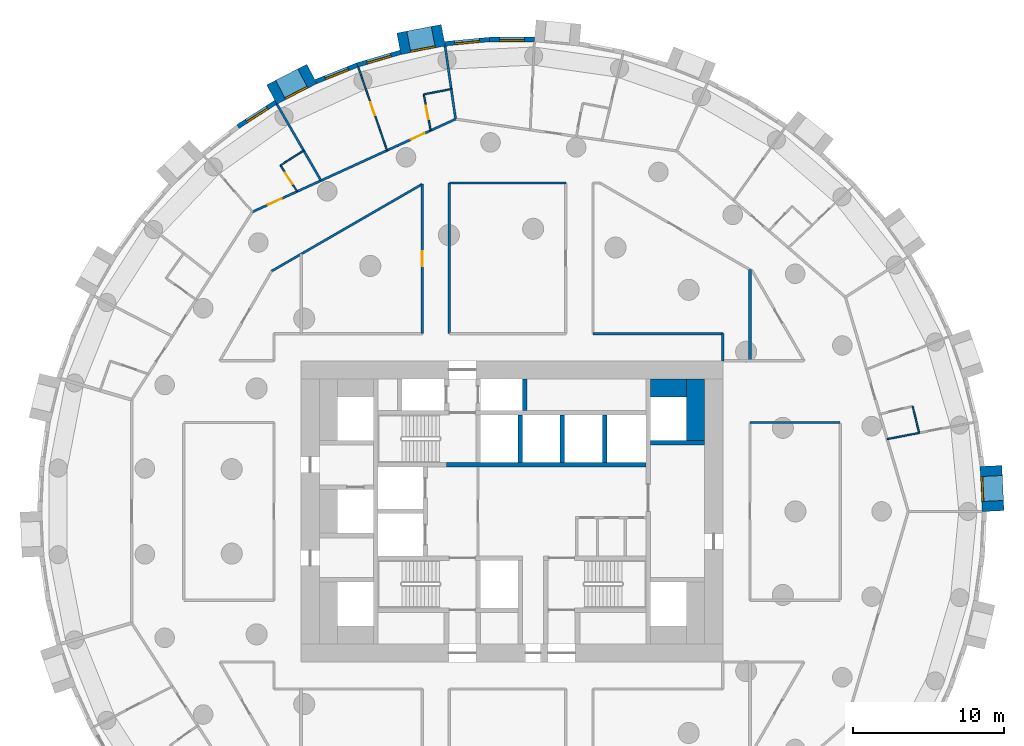
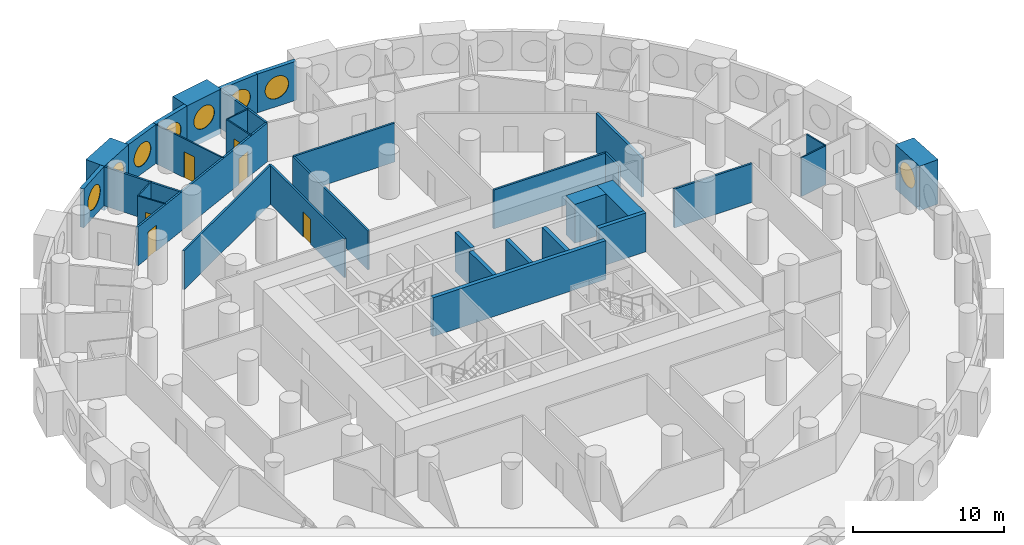
# One storey, part 8 of 12: 34 walls, 8 windows, 6 doors, 14 openings.
"""IFC4 building model written with IfcOpenShell, lengths in metres."""

from ifc_helpers import new_model, si_unit, direction, frame, frame_2d, origin, origin_2d, place, context, subcontext, project, spatial, rectangle, circle, extrude, material, layer, layer_set, type_object, element, fill, save


model = new_model("IFC4")

# Units and contexts
model_context = context("Model", 3, precision=1e-05, world=origin(), true_north=direction((0.0, 1.0)))
body_context = subcontext(model_context, "Body", "Model", "MODEL_VIEW")
ifc_project = project(units=[si_unit("LENGTHUNIT", "METRE"), si_unit("AREAUNIT", "SQUARE_METRE"), si_unit("VOLUMEUNIT", "CUBIC_METRE"), si_unit("PLANEANGLEUNIT", "RADIAN"), si_unit("MASSUNIT", "GRAM", prefix="KILO")], contexts=[model_context])

# Site, building, storey
site_placement = place(None, origin())
site = spatial("IfcSite", under=ifc_project, at=site_placement, CompositionType="ELEMENT")
building_placement = place(site_placement, origin())
building = spatial("IfcBuilding", under=site, at=building_placement, Name="Tracery Tower", CompositionType="ELEMENT")
storey_placement = place(building_placement, frame((0.0, 0.0, 85.800048828125)))
storey = spatial("IfcBuildingStorey", under=building, at=storey_placement, Name="L21", CompositionType="ELEMENT", Elevation=85.800048828125)

# Walls
ifc_material_1 = material(Name="Concrete C60/75", Category="concrete")
ifc_layer_1 = layer(ifc_material_1, 1.199951171875)
ifc_layer_set_1 = layer_set([ifc_layer_1], Name="Core strip wall 1200 C60")
wall_type_1 = type_object("IfcWallType", Name="Core strip wall 1200 C60", PredefinedType="SOLIDWALL", material=ifc_layer_set_1)
wall_1_placement = place(storey_placement, frame((12.199951171875, 4.699951171875, 0.0), z_axis=(0.0, 0.0, 1.0), x_axis=(0.0, 1.0, 0.0)))
element("IfcWall", 1, at=wall_1_placement, inside=storey, type_object=wall_type_1, Name="L21 wing strip +1 4.55", PredefinedType="SOLIDWALL", context=body_context, shape_type="SweptSolid", body=[
    extrude(rectangle(XDim=4.10009765625, YDim=1.199951171875, at=frame_2d((2.050048828125, 0.0))), origin(), (0.0, 0.0, 1.0), 3.14990234375),
])
wall_2_placement = place(storey_placement, frame((9.199951171875, 8.199951171875, 0.0), z_axis=(0.0, 0.0, 1.0), x_axis=(1.0, 0.0, 0.0)))
element("IfcWall", 2, at=wall_2_placement, inside=storey, type_object=wall_type_1, Name="L21 wing corner +1 +8.2", PredefinedType="SOLIDWALL", context=body_context, shape_type="SweptSolid", body=[
    extrude(rectangle(XDim=2.400146484375, YDim=1.199951171875, at=frame_2d((1.2001953125, 0.0))), origin(), (0.0, 0.0, 1.0), 3.14990234375),
])

# Wall, opening, window
ifc_material_2 = material(Name="Precast concrete C50/60", Category="concrete")
ifc_layer_2 = layer(ifc_material_2, 1.449951171875)
ifc_layer_set_2 = layer_set([ifc_layer_2], Name="Deep-set bay unit 3000 x 3600, slab edge 450")
wall_type_2 = type_object("IfcWallType", Name="Deep-set bay unit 3000 x 3600, slab edge 450", PredefinedType="ELEMENTEDWALL", material=ifc_layer_set_2)
wall_3_placement = place(storey_placement, frame((31.94921875, 0.020263671875, -0.449951171875), z_axis=(0.0, 0.0, 1.0), x_axis=(-0.047607680889, 0.998866111509, 0.0)))
wall_3 = element("IfcWall", 3, at=wall_3_placement, inside=storey, type_object=wall_type_2, Name="Deep-set bay unit 1 at L21", PredefinedType="ELEMENTEDWALL", context=body_context, shape_type="SweptSolid", body=[
    extrude(rectangle(XDim=3.0, YDim=1.449951171875, at=frame_2d((1.5, 0.0))), origin(), (0.0, 0.0, 1.0), 3.599853515625),
])
opening_1_placement = place(wall_3_placement, frame((1.5, 0.0, 2.0)))
opening_1 = element("IfcOpeningElement", 4, at=opening_1_placement, cuts=wall_3, Name="Opening WN1", PredefinedType="OPENING", context=body_context, shape_type="SweptSolid", body=[
    extrude(circle(Radius=0.9000244140625, at=origin_2d()), frame((0.0, 0.73486328125, 0.0), z_axis=(0.0, -1.0, 0.0), x_axis=(1.0, 0.0, 0.0)), (0.0, 0.0, 1.0), 1.469970703125),
])
ifc_material_3 = material(Name="Aluminium frame with tinted double glazing", Category="aluminium")
window_type = type_object("IfcWindowType", Name="Round window 1800", PartitioningType="SINGLE_PANEL", PredefinedType="WINDOW", material=ifc_material_3)
window_1_placement = place(opening_1_placement, origin())
window_1 = element("IfcWindow", 5, at=window_1_placement, inside=storey, type_object=window_type, Name="Round window 1 at L21", OverallHeight=1.800048828125, OverallWidth=1.800048828125, PartitioningType="SINGLE_PANEL", PredefinedType="WINDOW", context=body_context, shape_type="SweptSolid", body=[
    extrude(circle(Radius=0.9000244140625, at=origin_2d()), frame((0.0, 0.69482421875, 0.0), z_axis=(0.0, -1.0, 0.0), x_axis=(1.0, 0.0, 0.0)), (0.0, 0.0, 1.0), 0.10009765625),
])
fill(opening_1, window_1)

wall_4_placement = place(storey_placement, frame((-4.56689453125, 31.62109375, -0.449951171875), z_axis=(0.0, 0.0, 1.0), x_axis=(-0.981921602273, -0.189288052949, 0.0)))
wall_4 = element("IfcWall", 6, at=wall_4_placement, inside=storey, type_object=wall_type_2, Name="Deep-set bay unit 19 at L21", PredefinedType="ELEMENTEDWALL", context=body_context, shape_type="SweptSolid", body=[
    extrude(rectangle(XDim=3.0, YDim=1.449951171875, at=frame_2d((1.5, 0.0))), origin(), (0.0, 0.0, 1.0), 3.599853515625),
])
opening_2_placement = place(wall_4_placement, frame((1.5, 0.0, 2.0)))
opening_2 = element("IfcOpeningElement", 7, at=opening_2_placement, cuts=wall_4, Name="Opening WN1", PredefinedType="OPENING", context=body_context, shape_type="SweptSolid", body=[
    extrude(circle(Radius=0.9000244140625, at=origin_2d()), frame((0.0, 0.73486328125, 0.0), z_axis=(0.0, -1.0, 0.0), x_axis=(1.0, 0.0, 0.0)), (0.0, 0.0, 1.0), 1.469970703125),
])
window_2_placement = place(opening_2_placement, origin())
window_2 = element("IfcWindow", 8, at=window_2_placement, inside=storey, type_object=window_type, Name="Round window 19 at L21", OverallHeight=1.800048828125, OverallWidth=1.800048828125, PartitioningType="SINGLE_PANEL", PredefinedType="WINDOW", context=body_context, shape_type="SweptSolid", body=[
    extrude(circle(Radius=0.9000244140625, at=origin_2d()), frame((0.0, 0.69482421875, 0.0), z_axis=(0.0, -1.0, 0.0), x_axis=(1.0, 0.0, 0.0)), (0.0, 0.0, 1.0), 0.10009765625),
])
fill(opening_2, window_2)

wall_5_placement = place(storey_placement, frame((-13.29052734375, 29.053466796875, -0.449951171875), z_axis=(0.0, 0.0, 1.0), x_axis=(-0.888858064689, -0.458182650083, 0.0)))
wall_5 = element("IfcWall", 9, at=wall_5_placement, inside=storey, type_object=wall_type_2, Name="Deep-set bay unit 22 at L21", PredefinedType="ELEMENTEDWALL", context=body_context, shape_type="SweptSolid", body=[
    extrude(rectangle(XDim=3.0, YDim=1.449951171875, at=frame_2d((1.5, 0.0))), origin(), (0.0, 0.0, 1.0), 3.599853515625),
])
opening_3_placement = place(wall_5_placement, frame((1.5, 0.0, 2.0)))
opening_3 = element("IfcOpeningElement", 10, at=opening_3_placement, cuts=wall_5, Name="Opening WN1", PredefinedType="OPENING", context=body_context, shape_type="SweptSolid", body=[
    extrude(circle(Radius=0.9000244140625, at=origin_2d()), frame((0.0, 0.73486328125, 0.0), z_axis=(0.0, -1.0, 0.0), x_axis=(1.0, 0.0, 0.0)), (0.0, 0.0, 1.0), 1.469970703125),
])
window_3_placement = place(opening_3_placement, origin())
window_3 = element("IfcWindow", 11, at=window_3_placement, inside=storey, type_object=window_type, Name="Round window 22 at L21", OverallHeight=1.800048828125, OverallWidth=1.800048828125, PartitioningType="SINGLE_PANEL", PredefinedType="WINDOW", context=body_context, shape_type="SweptSolid", body=[
    extrude(circle(Radius=0.9000244140625, at=origin_2d()), frame((0.0, 0.69482421875, 0.0), z_axis=(0.0, -1.0, 0.0), x_axis=(1.0, 0.0, 0.0)), (0.0, 0.0, 1.0), 0.10009765625),
])
fill(opening_3, window_3)

ifc_material_4 = material(Name="Precast concrete C50/60", Category="concrete")
ifc_layer_3 = layer(ifc_material_4, 0.300048828125)
ifc_layer_set_3 = layer_set([ifc_layer_3], Name="Facade panel 3000 x 3150")
wall_type_3 = type_object("IfcWallType", Name="Facade panel 3000 x 3150", PredefinedType="SOLIDWALL", material=ifc_layer_set_3)
wall_6_placement = place(storey_placement, frame((1.48681640625, 31.3388671875, 0.0), z_axis=(0.0, 0.0, 1.0), x_axis=(-1.0, 0.0, 0.0)))
wall_6 = element("IfcWall", 12, at=wall_6_placement, inside=storey, type_object=wall_type_3, Name="Facade panel 17 at L21", PredefinedType="SOLIDWALL", context=body_context, shape_type="SweptSolid", body=[
    extrude(rectangle(XDim=2.979736328125, YDim=0.300048828125, at=frame_2d((1.48974609375, 0.0))), origin(), (0.0, 0.0, 1.0), 3.14990234375),
])
opening_4_placement = place(wall_6_placement, frame((1.48974609375, 0.0, 1.5498046875)))
opening_4 = element("IfcOpeningElement", 13, at=opening_4_placement, cuts=wall_6, Name="Opening WN1", PredefinedType="OPENING", context=body_context, shape_type="SweptSolid", body=[
    extrude(circle(Radius=0.9000244140625, at=origin_2d()), frame((0.0, 0.159912109375, 0.0), z_axis=(0.0, -1.0, 0.0), x_axis=(1.0, 0.0, 0.0)), (0.0, 0.0, 1.0), 0.320068359375),
])
window_4_placement = place(opening_4_placement, origin())
window_4 = element("IfcWindow", 14, at=window_4_placement, inside=storey, type_object=window_type, Name="Round window 17 at L21", OverallHeight=1.800048828125, OverallWidth=1.800048828125, PartitioningType="SINGLE_PANEL", PredefinedType="WINDOW", context=body_context, shape_type="SweptSolid", body=[
    extrude(circle(Radius=0.9000244140625, at=origin_2d()), frame((0.0, 0.1201171875, 0.0), z_axis=(0.0, -1.0, 0.0), x_axis=(1.0, 0.0, 0.0)), (0.0, 0.0, 1.0), 0.10009765625),
])
fill(opening_4, window_4)

wall_7_placement = place(storey_placement, frame((-1.492919921875, 31.3388671875, 0.0), z_axis=(0.0, 0.0, 1.0), x_axis=(-0.995472611385, -0.095048829468, 0.0)))
wall_7 = element("IfcWall", 15, at=wall_7_placement, inside=storey, type_object=wall_type_3, Name="Facade panel 18 at L21", PredefinedType="SOLIDWALL", context=body_context, shape_type="SweptSolid", body=[
    extrude(rectangle(XDim=2.9794921875, YDim=0.300048828125, at=frame_2d((1.48974609375, 0.0))), origin(), (0.0, 0.0, 1.0), 3.14990234375),
])
opening_5_placement = place(wall_7_placement, frame((1.48974609375, 0.0, 1.5498046875)))
opening_5 = element("IfcOpeningElement", 16, at=opening_5_placement, cuts=wall_7, Name="Opening WN1", PredefinedType="OPENING", context=body_context, shape_type="SweptSolid", body=[
    extrude(circle(Radius=0.9000244140625, at=origin_2d()), frame((0.0, 0.159912109375, 0.0), z_axis=(0.0, -1.0, 0.0), x_axis=(1.0, 0.0, 0.0)), (0.0, 0.0, 1.0), 0.320068359375),
])
window_5_placement = place(opening_5_placement, origin())
window_5 = element("IfcWindow", 17, at=window_5_placement, inside=storey, type_object=window_type, Name="Round window 18 at L21", OverallHeight=1.800048828125, OverallWidth=1.800048828125, PartitioningType="SINGLE_PANEL", PredefinedType="WINDOW", context=body_context, shape_type="SweptSolid", body=[
    extrude(circle(Radius=0.9000244140625, at=origin_2d()), frame((0.0, 0.1201171875, 0.0), z_axis=(0.0, -1.0, 0.0), x_axis=(1.0, 0.0, 0.0)), (0.0, 0.0, 1.0), 0.10009765625),
])
fill(opening_5, window_5)

wall_8_placement = place(storey_placement, frame((-7.402587890625, 30.48828125, 0.0), z_axis=(0.0, 0.0, 1.0), x_axis=(-0.959501085144, -0.281704930036, 0.0)))
wall_8 = element("IfcWall", 18, at=wall_8_placement, inside=storey, type_object=wall_type_3, Name="Facade panel 20 at L21", PredefinedType="SOLIDWALL", context=body_context, shape_type="SweptSolid", body=[
    extrude(rectangle(XDim=2.9794921875, YDim=0.300048828125, at=frame_2d((1.48974609375, 0.0))), origin(), (0.0, 0.0, 1.0), 3.14990234375),
])
opening_6_placement = place(wall_8_placement, frame((1.48974609375, 0.0, 1.5498046875)))
opening_6 = element("IfcOpeningElement", 19, at=opening_6_placement, cuts=wall_8, Name="Opening WN1", PredefinedType="OPENING", context=body_context, shape_type="SweptSolid", body=[
    extrude(circle(Radius=0.9000244140625, at=origin_2d()), frame((0.0, 0.159912109375, 0.0), z_axis=(0.0, -1.0, 0.0), x_axis=(1.0, 0.0, 0.0)), (0.0, 0.0, 1.0), 0.320068359375),
])
window_6_placement = place(opening_6_placement, origin())
window_6 = element("IfcWindow", 20, at=window_6_placement, inside=storey, type_object=window_type, Name="Round window 20 at L21", OverallHeight=1.800048828125, OverallWidth=1.800048828125, PartitioningType="SINGLE_PANEL", PredefinedType="WINDOW", context=body_context, shape_type="SweptSolid", body=[
    extrude(circle(Radius=0.9000244140625, at=origin_2d()), frame((0.0, 0.1201171875, 0.0), z_axis=(0.0, -1.0, 0.0), x_axis=(1.0, 0.0, 0.0)), (0.0, 0.0, 1.0), 0.10009765625),
])
fill(opening_6, window_6)

wall_9_placement = place(storey_placement, frame((-10.261474609375, 29.64892578125, 0.0), z_axis=(0.0, 0.0, 1.0), x_axis=(-0.928374947, -0.371644935098, 0.0)))
wall_9 = element("IfcWall", 21, at=wall_9_placement, inside=storey, type_object=wall_type_3, Name="Facade panel 21 at L21", PredefinedType="SOLIDWALL", context=body_context, shape_type="SweptSolid", body=[
    extrude(rectangle(XDim=2.979736328125, YDim=0.300048828125, at=frame_2d((1.48974609375, 0.0))), origin(), (0.0, 0.0, 1.0), 3.14990234375),
])
opening_7_placement = place(wall_9_placement, frame((1.48974609375, 0.0, 1.5498046875)))
opening_7 = element("IfcOpeningElement", 22, at=opening_7_placement, cuts=wall_9, Name="Opening WN1", PredefinedType="OPENING", context=body_context, shape_type="SweptSolid", body=[
    extrude(circle(Radius=0.9000244140625, at=origin_2d()), frame((0.0, 0.159912109375, 0.0), z_axis=(0.0, -1.0, 0.0), x_axis=(1.0, 0.0, 0.0)), (0.0, 0.0, 1.0), 0.320068359375),
])
window_7_placement = place(opening_7_placement, origin())
window_7 = element("IfcWindow", 23, at=window_7_placement, inside=storey, type_object=window_type, Name="Round window 21 at L21", OverallHeight=1.800048828125, OverallWidth=1.800048828125, PartitioningType="SINGLE_PANEL", PredefinedType="WINDOW", context=body_context, shape_type="SweptSolid", body=[
    extrude(circle(Radius=0.9000244140625, at=origin_2d()), frame((0.0, 0.1201171875, 0.0), z_axis=(0.0, -1.0, 0.0), x_axis=(1.0, 0.0, 0.0)), (0.0, 0.0, 1.0), 0.10009765625),
])
fill(opening_7, window_7)

wall_10_placement = place(storey_placement, frame((-15.6923828125, 27.167724609375, 0.0), z_axis=(0.0, 0.0, 1.0), x_axis=(-0.841260995538, -0.54062920508, 0.0)))
wall_10 = element("IfcWall", 24, at=wall_10_placement, inside=storey, type_object=wall_type_3, Name="Facade panel 23 at L21", PredefinedType="SOLIDWALL", context=body_context, shape_type="SweptSolid", body=[
    extrude(rectangle(XDim=2.9794921875, YDim=0.300048828125, at=frame_2d((1.48974609375, 0.0))), origin(), (0.0, 0.0, 1.0), 3.14990234375),
])
opening_8_placement = place(wall_10_placement, frame((1.48974609375, 0.0, 1.5498046875)))
opening_8 = element("IfcOpeningElement", 25, at=opening_8_placement, cuts=wall_10, Name="Opening WN1", PredefinedType="OPENING", context=body_context, shape_type="SweptSolid", body=[
    extrude(circle(Radius=0.9000244140625, at=origin_2d()), frame((0.0, 0.159912109375, 0.0), z_axis=(0.0, -1.0, 0.0), x_axis=(1.0, 0.0, 0.0)), (0.0, 0.0, 1.0), 0.320068359375),
])
window_8_placement = place(opening_8_placement, origin())
window_8 = element("IfcWindow", 26, at=window_8_placement, inside=storey, type_object=window_type, Name="Round window 23 at L21", OverallHeight=1.800048828125, OverallWidth=1.800048828125, PartitioningType="SINGLE_PANEL", PredefinedType="WINDOW", context=body_context, shape_type="SweptSolid", body=[
    extrude(circle(Radius=0.9000244140625, at=origin_2d()), frame((0.0, 0.1201171875, 0.0), z_axis=(0.0, -1.0, 0.0), x_axis=(1.0, 0.0, 0.0)), (0.0, 0.0, 1.0), 0.10009765625),
])
fill(opening_8, window_8)

# Wall, opening, door
ifc_material_5 = material(Name="Plasterboard on steel studs", Category="steel")
ifc_layer_4 = layer(ifc_material_5, 0.10009765625)
ifc_layer_set_4 = layer_set([ifc_layer_4], Name="Partition 100 stud")
wall_type_4 = type_object("IfcWallType", Name="Partition 100 stud", PredefinedType="PARTITIONING", material=ifc_layer_set_4)
wall_11_placement = place(storey_placement, frame((-10.2119140625, 29.507080078125, 0.0), z_axis=(0.0, 0.0, 1.0), x_axis=(0.32692444056, -0.94505048022, 0.0)))
wall_11 = element("IfcWall", 27, at=wall_11_placement, inside=storey, type_object=wall_type_4, Name="Stud partition RA6-077", PredefinedType="PARTITIONING", context=body_context, shape_type="SweptSolid", body=[
    extrude(rectangle(XDim=5.85693359375, YDim=0.10009765625, at=frame_2d((2.928466796875, 0.0))), origin(), (0.0, 0.0, 1.0), 3.14990234375),
])
opening_9_placement = place(wall_11_placement, frame((2.47900390625, 0.0, 0.0)))
opening_9 = element("IfcOpeningElement", 28, at=opening_9_placement, cuts=wall_11, Name="Opening RA6-25", PredefinedType="OPENING", context=body_context, shape_type="SweptSolid", body=[
    extrude(rectangle(XDim=0.89990234375, YDim=2.10009765625, at=frame_2d((0.449951171875, 1.050048828125))), frame((0.0, 0.050048828125, 0.0), z_axis=(0.0, -1.0, 0.0), x_axis=(1.0, 0.0, 0.0)), (0.0, 0.0, 1.0), 0.10009765625),
])
ifc_material_6 = material(Name="Timber door leaf", Category="wood")
door_type_1 = type_object("IfcDoorType", Name="Door bedroom 900", OperationType="NOTDEFINED", PredefinedType="DOOR", material=ifc_material_6)
door_1_placement = place(opening_9_placement, origin())
door_1 = element("IfcDoor", 29, at=door_1_placement, inside=storey, type_object=door_type_1, Name="Bedroom door RA6-25", OperationType="SINGLE_SWING_LEFT", OverallHeight=2.10009765625, OverallWidth=0.89990234375, PredefinedType="DOOR", context=body_context, shape_type="SweptSolid", body=[
    extrude(rectangle(XDim=0.89990234375, YDim=2.10009765625, at=frame_2d((0.449951171875, 1.050048828125))), frame((0.0, 0.02490234375, 0.0), z_axis=(0.0, -1.0, 0.0), x_axis=(1.0, 0.0, 0.0)), (0.0, 0.0, 1.0), 0.050048828125),
])
fill(opening_9, door_1)

# Walls
ifc_material_7 = material(Name="Plasterboard on steel studs", Category="steel")
ifc_layer_5 = layer(ifc_material_7, 0.10009765625)
ifc_layer_set_5 = layer_set([ifc_layer_5], Name="Partition 100 wet wall")
wall_type_5 = type_object("IfcWallType", Name="Partition 100 wet wall", PredefinedType="PARTITIONING", material=ifc_layer_set_5)
wall_12_placement = place(storey_placement, frame((26.60791015625, 6.98388671875, 0.0), z_axis=(0.0, 0.0, 1.0), x_axis=(0.235791524639, -0.971803661708, 0.0)))
element("IfcWall", 30, at=wall_12_placement, inside=storey, type_object=wall_type_5, Name="Wet wall RA6-060", PredefinedType="PARTITIONING", context=body_context, shape_type="SweptSolid", body=[
    extrude(rectangle(XDim=1.824462890625, YDim=0.10009765625, at=frame_2d((0.912109375, 0.0))), origin(), (0.0, 0.0, 1.0), 3.14990234375),
])
wall_13_placement = place(storey_placement, frame((24.908935546875, 4.801025390625, 0.0), z_axis=(0.0, 0.0, 1.0), x_axis=(0.981947880287, 0.189151686222, 0.0)))
element("IfcWall", 31, at=wall_13_placement, inside=storey, type_object=wall_type_5, Name="Wet wall RA6-062", PredefinedType="PARTITIONING", context=body_context, shape_type="SweptSolid", body=[
    extrude(rectangle(XDim=2.17236328125, YDim=0.10009765625, at=frame_2d((1.086181640625, 0.0))), origin(), (0.0, 0.0, 1.0), 3.14990234375),
])
wall_14_placement = place(storey_placement, frame((-5.861083984375, 27.694091796875, 0.0), z_axis=(0.0, 0.0, 1.0), x_axis=(0.981879093558, 0.189508431565, 0.0)))
element("IfcWall", 32, at=wall_14_placement, inside=storey, type_object=wall_type_5, Name="Wet wall RA6-078", PredefinedType="PARTITIONING", context=body_context, shape_type="SweptSolid", body=[
    extrude(rectangle(XDim=1.86279296875, YDim=0.10009765625, at=frame_2d((0.931396484375, 0.0))), origin(), (0.0, 0.0, 1.0), 3.14990234375),
])

# Wall, opening, door
wall_15_placement = place(storey_placement, frame((-5.861083984375, 27.694091796875, 0.0), z_axis=(0.0, 0.0, 1.0), x_axis=(0.189229262293, -0.981932933704, 0.0)))
wall_15 = element("IfcWall", 33, at=wall_15_placement, inside=storey, type_object=wall_type_5, Name="Wet wall RA6-079", PredefinedType="PARTITIONING", context=body_context, shape_type="SweptSolid", body=[
    extrude(rectangle(XDim=2.4423828125, YDim=0.10009765625, at=frame_2d((1.22119140625, 0.0))), origin(), (0.0, 0.0, 1.0), 3.14990234375),
])
opening_10_placement = place(wall_15_placement, frame((0.77099609375, 0.0, 0.0)))
opening_10 = element("IfcOpeningElement", 34, at=opening_10_placement, cuts=wall_15, Name="Opening RA6-26", PredefinedType="OPENING", context=body_context, shape_type="SweptSolid", body=[
    extrude(rectangle(XDim=0.89990234375, YDim=2.0, at=frame_2d((0.449951171875, 1.0))), frame((0.0, 0.050048828125, 0.0), z_axis=(0.0, -1.0, 0.0), x_axis=(1.0, 0.0, 0.0)), (0.0, 0.0, 1.0), 0.10009765625),
])
ifc_material_8 = material(Name="Timber door leaf", Category="wood")
door_type_2 = type_object("IfcDoorType", Name="Door shower room 900", OperationType="NOTDEFINED", PredefinedType="DOOR", material=ifc_material_8)
door_2_placement = place(opening_10_placement, origin())
door_2 = element("IfcDoor", 35, at=door_2_placement, inside=storey, type_object=door_type_2, Name="Shower room door RA6-26", OperationType="SINGLE_SWING_LEFT", OverallHeight=2.0, OverallWidth=0.89990234375, PredefinedType="DOOR", context=body_context, shape_type="SweptSolid", body=[
    extrude(rectangle(XDim=0.89990234375, YDim=2.0, at=frame_2d((0.449951171875, 1.0))), frame((0.0, 0.02490234375, 0.0), z_axis=(0.0, -1.0, 0.0), x_axis=(1.0, 0.0, 0.0)), (0.0, 0.0, 1.0), 0.050048828125),
])
fill(opening_10, door_2)

# Wall
wall_16_placement = place(storey_placement, frame((-15.376953125, 22.97607421875, 0.0), z_axis=(0.0, 0.0, 1.0), x_axis=(0.84118714077, 0.540744111576, 0.0)))
element("IfcWall", 36, at=wall_16_placement, inside=storey, type_object=wall_type_5, Name="Wet wall RA6-082", PredefinedType="PARTITIONING", context=body_context, shape_type="SweptSolid", body=[
    extrude(rectangle(XDim=1.830810546875, YDim=0.10009765625, at=frame_2d((0.91552734375, 0.0))), origin(), (0.0, 0.0, 1.0), 3.14990234375),
])

# Wall, opening, door
wall_17_placement = place(storey_placement, frame((-15.376953125, 22.97607421875, 0.0), z_axis=(0.0, 0.0, 1.0), x_axis=(0.54031338164, -0.841463873033, 0.0)))
wall_17 = element("IfcWall", 37, at=wall_17_placement, inside=storey, type_object=wall_type_5, Name="Wet wall RA6-083", PredefinedType="PARTITIONING", context=body_context, shape_type="SweptSolid", body=[
    extrude(rectangle(XDim=2.055908203125, YDim=0.10009765625, at=frame_2d((1.02783203125, 0.0))), origin(), (0.0, 0.0, 1.0), 3.14990234375),
])
opening_11_placement = place(wall_17_placement, frame((0.577880859375, 0.0, 0.0)))
opening_11 = element("IfcOpeningElement", 38, at=opening_11_placement, cuts=wall_17, Name="Opening RA6-29", PredefinedType="OPENING", context=body_context, shape_type="SweptSolid", body=[
    extrude(rectangle(XDim=0.89990234375, YDim=2.0, at=frame_2d((0.449951171875, 1.0))), frame((0.0, 0.050048828125, 0.0), z_axis=(0.0, -1.0, 0.0), x_axis=(1.0, 0.0, 0.0)), (0.0, 0.0, 1.0), 0.10009765625),
])
door_3_placement = place(opening_11_placement, origin())
door_3 = element("IfcDoor", 39, at=door_3_placement, inside=storey, type_object=door_type_2, Name="Shower room door RA6-29", OperationType="SINGLE_SWING_LEFT", OverallHeight=2.0, OverallWidth=0.89990234375, PredefinedType="DOOR", context=body_context, shape_type="SweptSolid", body=[
    extrude(rectangle(XDim=0.89990234375, YDim=2.0, at=frame_2d((0.449951171875, 1.0))), frame((0.0, 0.02490234375, 0.0), z_axis=(0.0, -1.0, 0.0), x_axis=(1.0, 0.0, 0.0)), (0.0, 0.0, 1.0), 0.050048828125),
])
fill(opening_11, door_3)

# Walls
ifc_material_9 = material(Name="Plasterboard on steel studs", Category="steel")
ifc_layer_6 = layer(ifc_material_9, 0.14990234375)
ifc_layer_set_6 = layer_set([ifc_layer_6], Name="Partition 150 acoustic unit wall")
wall_type_6 = type_object("IfcWallType", Name="Partition 150 acoustic unit wall", PredefinedType="PARTITIONING", material=ifc_layer_set_6)
wall_18_placement = place(storey_placement, frame((-4.444091796875, 30.906005859375, 0.0), z_axis=(0.0, 0.0, 1.0), x_axis=(0.142452592463, -0.989801626035, 0.0)))
element("IfcWall", 40, at=wall_18_placement, inside=storey, type_object=wall_type_6, Name="Unit wall RA6-076", PredefinedType="PARTITIONING", context=body_context, shape_type="SweptSolid", body=[
    extrude(rectangle(XDim=4.905029296875, YDim=0.14990234375, at=frame_2d((2.45263671875, 0.0))), origin(), (0.0, 0.0, 1.0), 3.14990234375),
])
wall_19_placement = place(storey_placement, frame((-15.612060546875, 27.041015625, 0.0), z_axis=(0.0, 0.0, 1.0), x_axis=(0.499985873194, -0.866033559746, 0.0)))
element("IfcWall", 41, at=wall_19_placement, inside=storey, type_object=wall_type_6, Name="Unit wall RA6-080", PredefinedType="PARTITIONING", context=body_context, shape_type="SweptSolid", body=[
    extrude(rectangle(XDim=5.856689453125, YDim=0.14990234375, at=frame_2d((2.92822265625, 0.0))), origin(), (0.0, 0.0, 1.0), 3.14990234375),
])
ifc_material_10 = material(Name="Plasterboard on steel studs", Category="steel")
ifc_layer_7 = layer(ifc_material_10, 0.14990234375)
ifc_layer_set_7 = layer_set([ifc_layer_7], Name="Partition 150 corridor wall")
wall_type_7 = type_object("IfcWallType", Name="Partition 150 corridor wall", PredefinedType="PARTITIONING", material=ifc_layer_set_7)
wall_20_placement = place(storey_placement, frame((5.3720703125, 11.800048828125, 0.0), z_axis=(0.0, 0.0, 1.0), x_axis=(1.0, 0.0, 0.0)))
element("IfcWall", 42, at=wall_20_placement, inside=storey, type_object=wall_type_7, Name="Corridor wall RA6-003", PredefinedType="PARTITIONING", context=body_context, shape_type="SweptSolid", body=[
    extrude(rectangle(XDim=8.6279296875, YDim=0.14990234375, at=frame_2d((4.31396484375, 0.0))), origin(), (0.0, 0.0, 1.0), 3.14990234375),
])
wall_21_placement = place(storey_placement, frame((14.0, 10.0, 0.0), z_axis=(0.0, 0.0, 1.0), x_axis=(0.0, 1.0, 0.0)))
element("IfcWall", 43, at=wall_21_placement, inside=storey, type_object=wall_type_7, Name="Corridor wall RA6-004", PredefinedType="PARTITIONING", context=body_context, shape_type="SweptSolid", body=[
    extrude(rectangle(XDim=1.800048828125, YDim=0.14990234375, at=frame_2d((0.89990234375, 0.0))), origin(), (0.0, 0.0, 1.0), 3.14990234375),
])
wall_22_placement = place(storey_placement, frame((15.800048828125, 5.89990234375, 0.0), z_axis=(0.0, 0.0, 1.0), x_axis=(1.0, 0.0, 0.0)))
element("IfcWall", 44, at=wall_22_placement, inside=storey, type_object=wall_type_7, Name="Corridor wall RA6-017", PredefinedType="PARTITIONING", context=body_context, shape_type="SweptSolid", body=[
    extrude(rectangle(XDim=5.968017578125, YDim=0.14990234375, at=frame_2d((2.98388671875, 0.0))), origin(), (0.0, 0.0, 1.0), 3.14990234375),
])

# Wall, opening, door
wall_23_placement = place(storey_placement, frame((-5.9599609375, 11.800048828125, 0.0), z_axis=(0.0, 0.0, 1.0), x_axis=(0.0, 1.0, 0.0)))
wall_23 = element("IfcWall", 45, at=wall_23_placement, inside=storey, type_object=wall_type_7, Name="Corridor wall RA6-024", PredefinedType="PARTITIONING", context=body_context, shape_type="SweptSolid", body=[
    extrude(rectangle(XDim=9.933837890625, YDim=0.14990234375, at=frame_2d((4.966796875, 0.0))), origin(), (0.0, 0.0, 1.0), 3.14990234375),
])
opening_12_placement = place(wall_23_placement, frame((4.467041015625, 0.0, 0.0)))
opening_12 = element("IfcOpeningElement", 46, at=opening_12_placement, cuts=wall_23, Name="Opening RA6-01", PredefinedType="OPENING", context=body_context, shape_type="SweptSolid", body=[
    extrude(rectangle(XDim=1.0, YDim=2.0400390625, at=frame_2d((0.5, 1.02001953125))), frame((0.0, 0.074951171875, 0.0), z_axis=(0.0, -1.0, 0.0), x_axis=(1.0, 0.0, 0.0)), (0.0, 0.0, 1.0), 0.14990234375),
])
ifc_material_11 = material(Name="Timber door leaf", Category="wood")
door_type_3 = type_object("IfcDoorType", Name="Door communal room 1000", OperationType="NOTDEFINED", PredefinedType="DOOR", material=ifc_material_11)
door_4_placement = place(opening_12_placement, origin())
door_4 = element("IfcDoor", 47, at=door_4_placement, inside=storey, type_object=door_type_3, Name="Communal room door RA6-01", OperationType="SINGLE_SWING_LEFT", OverallHeight=2.0400390625, OverallWidth=1.0, PredefinedType="DOOR", context=body_context, shape_type="SweptSolid", body=[
    extrude(rectangle(XDim=1.0, YDim=2.0400390625, at=frame_2d((0.5, 1.02001953125))), frame((0.0, 0.02490234375, 0.0), z_axis=(0.0, -1.0, 0.0), x_axis=(1.0, 0.0, 0.0)), (0.0, 0.0, 1.0), 0.050048828125),
])
fill(opening_12, door_4)

# Walls
wall_24_placement = place(storey_placement, frame((-15.960205078125, 15.960205078125, 0.0), z_axis=(0.0, 0.0, 1.0), x_axis=(0.86602397904, 0.500002467721, 0.0)))
element("IfcWall", 48, at=wall_24_placement, inside=storey, type_object=wall_type_7, Name="Corridor wall RA6-025", PredefinedType="PARTITIONING", context=body_context, shape_type="SweptSolid", body=[
    extrude(rectangle(XDim=11.54736328125, YDim=0.14990234375, at=frame_2d((5.773681640625, 0.0))), origin(), (0.0, 0.0, 1.0), 3.14990234375),
])
wall_25_placement = place(storey_placement, frame((-4.159912109375, 21.802001953125, 0.0), z_axis=(0.0, 0.0, 1.0), x_axis=(1.0, 0.0, 0.0)))
element("IfcWall", 49, at=wall_25_placement, inside=storey, type_object=wall_type_7, Name="Corridor wall RA6-027", PredefinedType="PARTITIONING", context=body_context, shape_type="SweptSolid", body=[
    extrude(rectangle(XDim=7.73583984375, YDim=0.14990234375, at=frame_2d((3.867919921875, 0.0))), origin(), (0.0, 0.0, 1.0), 3.14990234375),
])
wall_26_placement = place(storey_placement, frame((-4.159912109375, 11.800048828125, 0.0), z_axis=(0.0, 0.0, 1.0), x_axis=(0.0, 1.0, 0.0)))
element("IfcWall", 50, at=wall_26_placement, inside=storey, type_object=wall_type_7, Name="Corridor wall RA6-028", PredefinedType="PARTITIONING", context=body_context, shape_type="SweptSolid", body=[
    extrude(rectangle(XDim=10.001953125, YDim=0.14990234375, at=frame_2d((5.0009765625, 0.0))), origin(), (0.0, 0.0, 1.0), 3.14990234375),
])

# Wall, openings, doors
wall_27_placement = place(storey_placement, frame((-17.235595703125, 19.89111328125, 0.0), z_axis=(0.0, 0.0, 1.0), x_axis=(0.909645678785, 0.415385049163, 0.0)))
wall_27 = element("IfcWall", 51, at=wall_27_placement, inside=storey, type_object=wall_type_7, Name="Corridor wall RA6-033", PredefinedType="PARTITIONING", context=body_context, shape_type="SweptSolid", body=[
    extrude(rectangle(XDim=14.829345703125, YDim=0.14990234375, at=frame_2d((7.41455078125, 0.0))), origin(), (0.0, 0.0, 1.0), 3.14990234375),
])
opening_13_placement = place(wall_27_placement, frame((11.569091796875, 0.0, 0.0)))
opening_13 = element("IfcOpeningElement", 52, at=opening_13_placement, cuts=wall_27, Name="Opening RA6-27", PredefinedType="OPENING", context=body_context, shape_type="SweptSolid", body=[
    extrude(rectangle(XDim=1.0, YDim=2.10009765625, at=frame_2d((0.5, 1.050048828125))), frame((0.0, 0.074951171875, 0.0), z_axis=(0.0, -1.0, 0.0), x_axis=(1.0, 0.0, 0.0)), (0.0, 0.0, 1.0), 0.14990234375),
])
opening_14_placement = place(wall_27_placement, frame((1.134033203125, 0.0, 0.0)))
opening_14 = element("IfcOpeningElement", 53, at=opening_14_placement, cuts=wall_27, Name="Opening RA6-30", PredefinedType="OPENING", context=body_context, shape_type="SweptSolid", body=[
    extrude(rectangle(XDim=1.0, YDim=2.10009765625, at=frame_2d((0.5, 1.050048828125))), frame((0.0, 0.074951171875, 0.0), z_axis=(0.0, -1.0, 0.0), x_axis=(1.0, 0.0, 0.0)), (0.0, 0.0, 1.0), 0.14990234375),
])
ifc_material_12 = material(Name="Timber door leaf", Category="wood")
door_type_4 = type_object("IfcDoorType", Name="Door unit entrance 1000", OperationType="NOTDEFINED", PredefinedType="DOOR", material=ifc_material_12)
door_5_placement = place(opening_13_placement, origin())
door_5 = element("IfcDoor", 54, at=door_5_placement, inside=storey, type_object=door_type_4, Name="Unit entrance door RA6-27", OperationType="SINGLE_SWING_RIGHT", OverallHeight=2.10009765625, OverallWidth=1.0, PredefinedType="DOOR", context=body_context, shape_type="SweptSolid", body=[
    extrude(rectangle(XDim=1.0, YDim=2.10009765625, at=frame_2d((0.5, 1.050048828125))), frame((0.0, 0.02490234375, 0.0), z_axis=(0.0, -1.0, 0.0), x_axis=(1.0, 0.0, 0.0)), (0.0, 0.0, 1.0), 0.050048828125),
])
fill(opening_13, door_5)
door_6_placement = place(opening_14_placement, origin())
door_6 = element("IfcDoor", 55, at=door_6_placement, inside=storey, type_object=door_type_4, Name="Unit entrance door RA6-30", OperationType="SINGLE_SWING_RIGHT", OverallHeight=2.10009765625, OverallWidth=1.0, PredefinedType="DOOR", context=body_context, shape_type="SweptSolid", body=[
    extrude(rectangle(XDim=1.0, YDim=2.10009765625, at=frame_2d((0.5, 1.050048828125))), frame((0.0, 0.02490234375, 0.0), z_axis=(0.0, -1.0, 0.0), x_axis=(1.0, 0.0, 0.0)), (0.0, 0.0, 1.0), 0.050048828125),
])
fill(opening_14, door_6)

# Walls
ifc_material_13 = material(Name="Plasterboard on steel studs", Category="steel")
ifc_layer_8 = layer(ifc_material_13, 0.199951171875)
ifc_layer_set_8 = layer_set([ifc_layer_8], Name="Partition 200 compartment wall")
wall_type_8 = type_object("IfcWallType", Name="Partition 200 compartment wall", PredefinedType="PARTITIONING", material=ifc_layer_set_8)
wall_28_placement = place(storey_placement, frame((15.800048828125, 10.0, 0.0), z_axis=(0.0, 0.0, 1.0), x_axis=(0.0, 1.0, 0.0)))
element("IfcWall", 56, at=wall_28_placement, inside=storey, type_object=wall_type_8, Name="Compartment wall RA6-055", PredefinedType="PARTITIONING", context=body_context, shape_type="SweptSolid", body=[
    extrude(rectangle(XDim=6.052978515625, YDim=0.199951171875, at=frame_2d((3.0263671875, 0.0))), origin(), (0.0, 0.0, 1.0), 3.14990234375),
])
ifc_material_14 = material(Name="Concrete C60/75", Category="concrete")
ifc_layer_9 = layer(ifc_material_14, 0.300048828125)
ifc_layer_set_9 = layer_set([ifc_layer_9], Name="Shaft wall 300 C60")
wall_type_9 = type_object("IfcWallType", Name="Shaft wall 300 C60", PredefinedType="SOLIDWALL", material=ifc_layer_set_9)
for number, where, z_axis, x_axis, name in (
    (57, (0.550048828125, 3.25, 0.0), (0.0, 0.0, 1.0), (0.0, 1.0, 0.0), "L21 HR sep 1"),
    (58, (3.35009765625, 3.25, 0.0), (0.0, 0.0, 1.0), (0.0, 1.0, 0.0), "L21 HR sep 2"),
    (59, (6.14990234375, 3.25, 0.0), (0.0, 0.0, 1.0), (0.0, 1.0, 0.0), "L21 HR sep 3"),
):
    element("IfcWall", number, at=place(storey_placement, frame(where, z_axis=z_axis, x_axis=x_axis)), inside=storey, type_object=wall_type_9, Name=name, PredefinedType="SOLIDWALL", context=body_context, shape_type="SweptSolid", body=[
        extrude(rectangle(XDim=3.14990234375, YDim=0.300048828125, at=frame_2d((1.574951171875, 0.0))), origin(), (0.0, 0.0, 1.0), 3.14990234375),
    ])
wall_29_placement = place(storey_placement, frame((0.85009765625, 6.699951171875, 0.0), z_axis=(0.0, 0.0, 1.0), x_axis=(0.0, 1.0, 0.0)))
element("IfcWall", 60, at=wall_29_placement, inside=storey, type_object=wall_type_9, Name="L21 LR sep 0.85", PredefinedType="SOLIDWALL", context=body_context, shape_type="SweptSolid", body=[
    extrude(rectangle(XDim=2.10009765625, YDim=0.300048828125, at=frame_2d((1.050048828125, 0.0))), origin(), (0.0, 0.0, 1.0), 3.14990234375),
])
wall_30_placement = place(storey_placement, frame((9.199951171875, 4.550048828125, 0.0), z_axis=(0.0, 0.0, 1.0), x_axis=(1.0, 0.0, 0.0)))
element("IfcWall", 61, at=wall_30_placement, inside=storey, type_object=wall_type_9, Name="L21 wing shaft wall +1 +4.55", PredefinedType="SOLIDWALL", context=body_context, shape_type="SweptSolid", body=[
    extrude(rectangle(XDim=3.60009765625, YDim=0.300048828125, at=frame_2d((1.800048828125, 0.0))), origin(), (0.0, 0.0, 1.0), 3.14990234375),
])
ifc_material_15 = material(Name="Concrete C60/75", Category="concrete")
ifc_layer_10 = layer(ifc_material_15, 0.300048828125)
ifc_layer_set_10 = layer_set([ifc_layer_10], Name="Stair wall 300 C60")
wall_type_10 = type_object("IfcWallType", Name="Stair wall 300 C60", PredefinedType="SOLIDWALL", material=ifc_layer_set_10)
wall_31_placement = place(storey_placement, frame((-4.35009765625, 3.10009765625, 0.0), z_axis=(0.0, 0.0, 1.0), x_axis=(1.0, 0.0, 0.0)))
element("IfcWall", 62, at=wall_31_placement, inside=storey, type_object=wall_type_10, Name="L21 row N", PredefinedType="SOLIDWALL", context=body_context, shape_type="SweptSolid", body=[
    extrude(rectangle(XDim=13.25, YDim=0.300048828125, at=frame_2d((6.625, 0.0))), origin(), (0.0, 0.0, 1.0), 3.14990234375),
])

save(model, "model.ifc")
